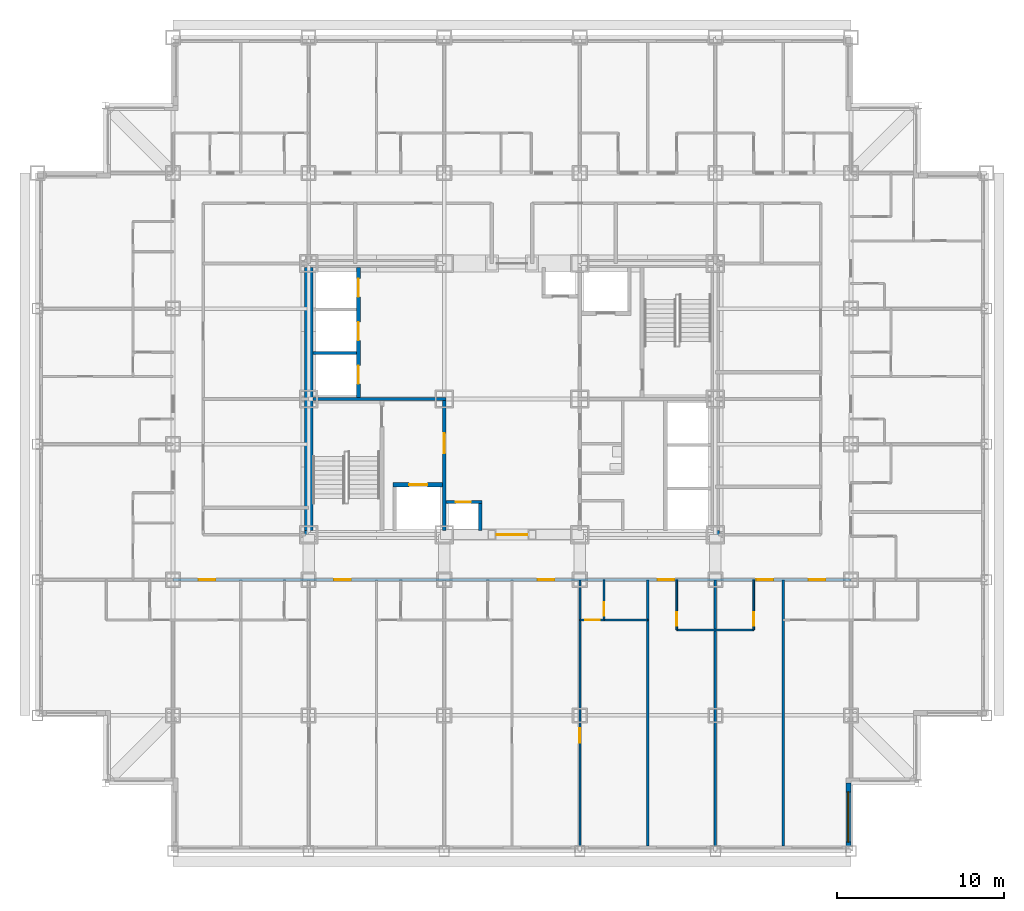
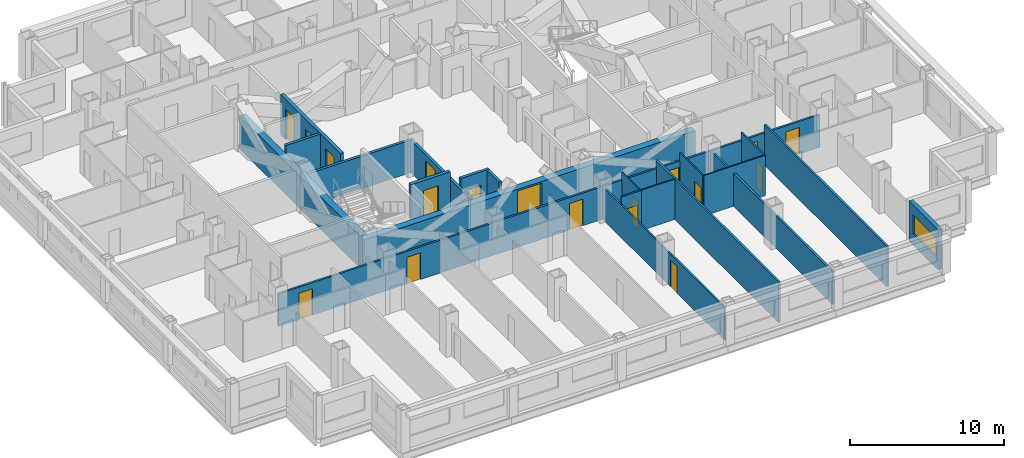
# One storey, part 6 of 14: 21 walls, 18 doors, 1 window, 19 openings.
"""IFC4 building model written with IfcOpenShell, lengths in metres."""

from ifc_helpers import new_model, si_unit, direction, frame, frame_2d, origin, place, context, subcontext, project, spatial, rectangle, extrude, material, layer, layer_set, type_object, element, fill, save


model = new_model("IFC4")

# Units and contexts
model_context = context("Model", 3, precision=1e-05, world=origin(), true_north=direction((0.0, 1.0)))
body_context = subcontext(model_context, "Body", "Model", "MODEL_VIEW")
ifc_project = project(units=[si_unit("LENGTHUNIT", "METRE"), si_unit("AREAUNIT", "SQUARE_METRE"), si_unit("VOLUMEUNIT", "CUBIC_METRE"), si_unit("PLANEANGLEUNIT", "RADIAN"), si_unit("MASSUNIT", "GRAM", prefix="KILO")], contexts=[model_context])

# Site, building, storey
site_placement = place(None, origin())
site = spatial("IfcSite", under=ifc_project, at=site_placement, CompositionType="ELEMENT")
building_placement = place(site_placement, origin())
building = spatial("IfcBuilding", under=site, at=building_placement, Name="Kopane Lantern Tower", CompositionType="ELEMENT")
storey_placement = place(building_placement, frame((0.0, 0.0, 127.199951171875)))
storey = spatial("IfcBuildingStorey", under=building, at=storey_placement, Name="L32", CompositionType="ELEMENT", Elevation=127.199951171875)

# Wall, opening, door
ifc_material_1 = material(Name="Gypsum board on steel studs", Category="steel")
ifc_layer_1 = layer(ifc_material_1, 0.1201171875)
ifc_layer_set_1 = layer_set([ifc_layer_1], Name="APARTMENT INTERNAL WALL 120")
wall_type_1 = type_object("IfcWallType", Name="APARTMENT INTERNAL WALL 120", PredefinedType="PARTITIONING", material=ifc_layer_set_1)
wall_1_placement = place(storey_placement, frame((32.39990234375, 21.60009765625, 0.0), z_axis=(0.0, 0.0, 1.0), x_axis=(0.0, -1.0, 0.0)))
wall_1 = element("IfcWall", 1, at=wall_1_placement, inside=storey, type_object=wall_type_1, Name="Apartment Internal Wall 120 L32", PredefinedType="PARTITIONING", context=body_context, shape_type="SweptSolid", body=[
    extrude(rectangle(XDim=15.900146484375, YDim=0.1201171875, at=frame_2d((7.9501953125, 0.0))), origin(), (0.0, 0.0, 1.0), 2.577880859375),
])
opening_1_placement = place(wall_1_placement, frame((8.875, 0.0, 0.0)))
opening_1 = element("IfcOpeningElement", 2, at=opening_1_placement, cuts=wall_1, Name="Opening L32-024", PredefinedType="OPENING", context=body_context, shape_type="SweptSolid", body=[
    extrude(rectangle(XDim=0.85009765625, YDim=2.10009765625, at=frame_2d((0.425048828125, 1.050048828125))), frame((0.0, 0.070068359375, 0.0), z_axis=(0.0, -1.0, 0.0), x_axis=(1.0, 0.0, 0.0)), (0.0, 0.0, 1.0), 0.14013671875),
])
ifc_material_2 = material(Name="Timber door set", Category="wood")
door_type_1 = type_object("IfcDoorType", Name="DOOR D4 850x2100", OperationType="SINGLE_SWING_LEFT", PredefinedType="DOOR", material=ifc_material_2)
door_1_placement = place(opening_1_placement, origin())
door_1 = element("IfcDoor", 3, at=door_1_placement, inside=storey, type_object=door_type_1, Name="Door L32-024", OperationType="SINGLE_SWING_LEFT", OverallHeight=2.10009765625, OverallWidth=0.85009765625, PredefinedType="DOOR", context=body_context, shape_type="SweptSolid", body=[
    extrude(rectangle(XDim=0.85009765625, YDim=2.10009765625, at=frame_2d((0.425048828125, 1.050048828125))), frame((0.0, 0.02490234375, 0.0), z_axis=(0.0, -1.0, 0.0), x_axis=(1.0, 0.0, 0.0)), (0.0, 0.0, 1.0), 0.050048828125),
])
fill(opening_1, door_1)

wall_2_placement = place(storey_placement, frame((33.860107421875, 19.199951171875, 0.0), z_axis=(0.0, 0.0, 1.0), x_axis=(-1.0, 0.0, 0.0)))
wall_2 = element("IfcWall", 4, at=wall_2_placement, inside=storey, type_object=wall_type_1, Name="Apartment Internal Wall 120 L32", PredefinedType="PARTITIONING", context=body_context, shape_type="SweptSolid", body=[
    extrude(rectangle(XDim=1.460205078125, YDim=0.1201171875, at=frame_2d((0.72998046875, 0.0))), origin(), (0.0, 0.0, 1.0), 3.18994140625),
])
opening_2_placement = place(wall_2_placement, frame((0.27490234375, 0.0, 0.0)))
opening_2 = element("IfcOpeningElement", 5, at=opening_2_placement, cuts=wall_2, Name="Opening L32-082", PredefinedType="OPENING", context=body_context, shape_type="SweptSolid", body=[
    extrude(rectangle(XDim=0.85009765625, YDim=2.10009765625, at=frame_2d((0.425048828125, 1.050048828125))), frame((0.0, 0.070068359375, 0.0), z_axis=(0.0, -1.0, 0.0), x_axis=(1.0, 0.0, 0.0)), (0.0, 0.0, 1.0), 0.14013671875),
])
door_2_placement = place(opening_2_placement, origin())
door_2 = element("IfcDoor", 6, at=door_2_placement, inside=storey, type_object=door_type_1, Name="Door L32-082", OperationType="SINGLE_SWING_RIGHT", OverallHeight=2.10009765625, OverallWidth=0.85009765625, PredefinedType="DOOR", context=body_context, shape_type="SweptSolid", body=[
    extrude(rectangle(XDim=0.85009765625, YDim=2.10009765625, at=frame_2d((0.425048828125, 1.050048828125))), frame((0.0, 0.02490234375, 0.0), z_axis=(0.0, -1.0, 0.0), x_axis=(1.0, 0.0, 0.0)), (0.0, 0.0, 1.0), 0.050048828125),
])
fill(opening_2, door_2)

# Wall
ifc_material_3 = material(Name="Moisture-resistant board on steel studs", Category="steel")
ifc_layer_2 = layer(ifc_material_3, 0.10009765625)
ifc_layer_set_2 = layer_set([ifc_layer_2], Name="BATHROOM WALL 100")
wall_type_2 = type_object("IfcWallType", Name="BATHROOM WALL 100", PredefinedType="PARTITIONING", material=ifc_layer_set_2)
wall_3_placement = place(storey_placement, frame((33.85009765625, 19.199951171875, 0.0), z_axis=(0.0, 0.0, 1.0), x_axis=(1.0, 0.0, 0.0)))
element("IfcWall", 7, at=wall_3_placement, inside=storey, type_object=wall_type_2, Name="Bathroom Wall 100 L32", PredefinedType="PARTITIONING", context=body_context, shape_type="SweptSolid", body=[
    extrude(rectangle(XDim=2.599853515625, YDim=0.10009765625, at=frame_2d((1.2998046875, 0.0))), origin(), (0.0, 0.0, 1.0), 3.18994140625),
])

# Wall, opening, door
wall_4_placement = place(storey_placement, frame((33.85009765625, 21.60009765625, 0.0), z_axis=(0.0, 0.0, 1.0), x_axis=(0.0, -1.0, 0.0)))
wall_4 = element("IfcWall", 8, at=wall_4_placement, inside=storey, type_object=wall_type_2, Name="Bathroom Wall 100 L32", PredefinedType="PARTITIONING", context=body_context, shape_type="SweptSolid", body=[
    extrude(rectangle(XDim=2.400146484375, YDim=0.10009765625, at=frame_2d((1.2001953125, 0.0))), origin(), (0.0, 0.0, 1.0), 3.18994140625),
])
opening_3_placement = place(wall_4_placement, frame((1.35009765625, 0.0, 0.0)))
opening_3 = element("IfcOpeningElement", 9, at=opening_3_placement, cuts=wall_4, Name="Opening L32-023", PredefinedType="OPENING", context=body_context, shape_type="SweptSolid", body=[
    extrude(rectangle(XDim=0.800048828125, YDim=2.10009765625, at=frame_2d((0.39990234375, 1.050048828125))), frame((0.0, 0.06005859375, 0.0), z_axis=(0.0, -1.0, 0.0), x_axis=(1.0, 0.0, 0.0)), (0.0, 0.0, 1.0), 0.1201171875),
])
ifc_material_4 = material(Name="Timber door set", Category="wood")
door_type_2 = type_object("IfcDoorType", Name="DOOR D2 800x2100", OperationType="SINGLE_SWING_LEFT", PredefinedType="DOOR", material=ifc_material_4)
door_3_placement = place(opening_3_placement, origin())
door_3 = element("IfcDoor", 10, at=door_3_placement, inside=storey, type_object=door_type_2, Name="Door L32-023", OperationType="SINGLE_SWING_LEFT", OverallHeight=2.10009765625, OverallWidth=0.800048828125, PredefinedType="DOOR", context=body_context, shape_type="SweptSolid", body=[
    extrude(rectangle(XDim=0.800048828125, YDim=2.10009765625, at=frame_2d((0.39990234375, 1.050048828125))), frame((0.0, 0.02490234375, 0.0), z_axis=(0.0, -1.0, 0.0), x_axis=(1.0, 0.0, 0.0)), (0.0, 0.0, 1.0), 0.050048828125),
])
fill(opening_3, door_3)

# Wall
wall_5_placement = place(storey_placement, frame((38.199951171875, 18.60009765625, 0.0), z_axis=(0.0, 0.0, 1.0), x_axis=(1.0, 0.0, 0.0)))
element("IfcWall", 11, at=wall_5_placement, inside=storey, type_object=wall_type_2, Name="Bathroom Wall 100 L32", PredefinedType="PARTITIONING", context=body_context, shape_type="SweptSolid", body=[
    extrude(rectangle(XDim=4.60009765625, YDim=0.10009765625, at=frame_2d((2.300048828125, 0.0))), origin(), (0.0, 0.0, 1.0), 3.18994140625),
])

# Wall, opening, door
wall_6_placement = place(storey_placement, frame((38.199951171875, 21.60009765625, 0.0), z_axis=(0.0, 0.0, 1.0), x_axis=(0.0, -1.0, 0.0)))
wall_6 = element("IfcWall", 12, at=wall_6_placement, inside=storey, type_object=wall_type_2, Name="Bathroom Wall 100 L32", PredefinedType="PARTITIONING", context=body_context, shape_type="SweptSolid", body=[
    extrude(rectangle(XDim=3.0, YDim=0.10009765625, at=frame_2d((1.5, 0.0))), origin(), (0.0, 0.0, 1.0), 3.18994140625),
])
opening_4_placement = place(wall_6_placement, frame((1.949951171875, 0.0, 0.0)))
opening_4 = element("IfcOpeningElement", 13, at=opening_4_placement, cuts=wall_6, Name="Opening L32-025", PredefinedType="OPENING", context=body_context, shape_type="SweptSolid", body=[
    extrude(rectangle(XDim=0.800048828125, YDim=2.10009765625, at=frame_2d((0.39990234375, 1.050048828125))), frame((0.0, 0.06005859375, 0.0), z_axis=(0.0, -1.0, 0.0), x_axis=(1.0, 0.0, 0.0)), (0.0, 0.0, 1.0), 0.1201171875),
])
door_4_placement = place(opening_4_placement, origin())
door_4 = element("IfcDoor", 14, at=door_4_placement, inside=storey, type_object=door_type_2, Name="Door L32-025", OperationType="SINGLE_SWING_RIGHT", OverallHeight=2.10009765625, OverallWidth=0.800048828125, PredefinedType="DOOR", context=body_context, shape_type="SweptSolid", body=[
    extrude(rectangle(XDim=0.800048828125, YDim=2.10009765625, at=frame_2d((0.39990234375, 1.050048828125))), frame((0.0, 0.02490234375, 0.0), z_axis=(0.0, -1.0, 0.0), x_axis=(1.0, 0.0, 0.0)), (0.0, 0.0, 1.0), 0.050048828125),
])
fill(opening_4, door_4)

wall_7_placement = place(storey_placement, frame((42.800048828125, 21.60009765625, 0.0), z_axis=(0.0, 0.0, 1.0), x_axis=(0.0, -1.0, 0.0)))
wall_7 = element("IfcWall", 15, at=wall_7_placement, inside=storey, type_object=wall_type_2, Name="Bathroom Wall 100 L32", PredefinedType="PARTITIONING", context=body_context, shape_type="SweptSolid", body=[
    extrude(rectangle(XDim=3.0, YDim=0.10009765625, at=frame_2d((1.5, 0.0))), origin(), (0.0, 0.0, 1.0), 3.18994140625),
])
opening_5_placement = place(wall_7_placement, frame((1.949951171875, 0.0, 0.0)))
opening_5 = element("IfcOpeningElement", 16, at=opening_5_placement, cuts=wall_7, Name="Opening L32-027", PredefinedType="OPENING", context=body_context, shape_type="SweptSolid", body=[
    extrude(rectangle(XDim=0.800048828125, YDim=2.10009765625, at=frame_2d((0.39990234375, 1.050048828125))), frame((0.0, 0.06005859375, 0.0), z_axis=(0.0, -1.0, 0.0), x_axis=(1.0, 0.0, 0.0)), (0.0, 0.0, 1.0), 0.1201171875),
])
door_5_placement = place(opening_5_placement, origin())
door_5 = element("IfcDoor", 17, at=door_5_placement, inside=storey, type_object=door_type_2, Name="Door L32-027", OperationType="SINGLE_SWING_LEFT", OverallHeight=2.10009765625, OverallWidth=0.800048828125, PredefinedType="DOOR", context=body_context, shape_type="SweptSolid", body=[
    extrude(rectangle(XDim=0.800048828125, YDim=2.10009765625, at=frame_2d((0.39990234375, 1.050048828125))), frame((0.0, 0.02490234375, 0.0), z_axis=(0.0, -1.0, 0.0), x_axis=(1.0, 0.0, 0.0)), (0.0, 0.0, 1.0), 0.050048828125),
])
fill(opening_5, door_5)

ifc_material_5 = material(Name="Gypsum shaft wall EI 120", Category="gypsum")
ifc_layer_3 = layer(ifc_material_5, 0.5)
ifc_layer_set_3 = layer_set([ifc_layer_3], Name="CORE PERIMETER WALL 500 EI 120")
wall_type_3 = type_object("IfcWallType", Name="CORE PERIMETER WALL 500 EI 120", PredefinedType="SOLIDWALL", material=ifc_layer_set_3)
wall_8_placement = place(storey_placement, frame((15.949951171875, 24.300048828125, 0.0), z_axis=(0.0, 0.0, 1.0), x_axis=(1.0, 0.0, 0.0)))
wall_8 = element("IfcWall", 18, at=wall_8_placement, inside=storey, type_object=wall_type_3, Name="Core shaft wall L32 PS", PredefinedType="SOLIDWALL", context=body_context, shape_type="SweptSolid", body=[
    extrude(rectangle(XDim=24.800048828125, YDim=0.5, at=frame_2d((12.39990234375, 0.0))), origin(), (0.0, 0.0, 1.0), 2.5400390625),
])
opening_6_placement = place(wall_8_placement, frame((11.5, 0.0, 0.0)))
opening_6 = element("IfcOpeningElement", 19, at=opening_6_placement, cuts=wall_8, Name="Opening 32.CE-S", PredefinedType="OPENING", context=body_context, shape_type="SweptSolid", body=[
    extrude(rectangle(XDim=1.800048828125, YDim=2.39990234375, at=frame_2d((0.89990234375, 1.199951171875))), frame((0.0, 0.260009765625, 0.0), z_axis=(0.0, -1.0, 0.0), x_axis=(1.0, 0.0, 0.0)), (0.0, 0.0, 1.0), 0.52001953125),
])
ifc_material_6 = material(Name="Steel door set", Category="steel")
door_type_3 = type_object("IfcDoorType", Name="CORE ENTRY DOOR 1800x2400 FD60S", OperationType="DOUBLE_DOOR_SINGLE_SWING", PredefinedType="DOOR", material=ifc_material_6)
door_6_placement = place(opening_6_placement, origin())
door_6 = element("IfcDoor", 20, at=door_6_placement, inside=storey, type_object=door_type_3, Name="Core entry door L32 south", OperationType="DOUBLE_DOOR_SINGLE_SWING", OverallHeight=2.39990234375, OverallWidth=1.800048828125, PredefinedType="DOOR", context=body_context, shape_type="SweptSolid", body=[
    extrude(rectangle(XDim=1.800048828125, YDim=2.39990234375, at=frame_2d((0.89990234375, 1.199951171875))), frame((0.0, 0.02490234375, 0.0), z_axis=(0.0, -1.0, 0.0), x_axis=(1.0, 0.0, 0.0)), (0.0, 0.0, 1.0), 0.050048828125),
])
fill(opening_6, door_6)

# Wall
wall_9_placement = place(storey_placement, frame((16.199951171875, 24.550048828125, 0.0), z_axis=(0.0, 0.0, 1.0), x_axis=(0.0, 1.0, 0.0)))
element("IfcWall", 21, at=wall_9_placement, inside=storey, type_object=wall_type_3, Name="Core shaft wall L32 PW", PredefinedType="SOLIDWALL", context=body_context, shape_type="SweptSolid", body=[
    extrude(rectangle(XDim=15.699951171875, YDim=0.5, at=frame_2d((7.85009765625, 0.0))), origin(), (0.0, 0.0, 1.0), 2.577880859375),
])

# Wall, opening, door
ifc_material_7 = material(Name="Gypsum shaft wall EI 120", Category="gypsum")
ifc_layer_4 = layer(ifc_material_7, 0.25)
ifc_layer_set_4 = layer_set([ifc_layer_4], Name="CORE SHAFT WALL 250 EI 120")
wall_type_4 = type_object("IfcWallType", Name="CORE SHAFT WALL 250 EI 120", PredefinedType="SOLIDWALL", material=ifc_layer_set_4)
wall_10_placement = place(storey_placement, frame((21.25, 27.27490234375, 0.0), z_axis=(0.0, 0.0, 1.0), x_axis=(1.0, 0.0, 0.0)))
wall_10 = element("IfcWall", 22, at=wall_10_placement, inside=storey, type_object=wall_type_4, Name="Core shaft wall L32 YLF1", PredefinedType="SOLIDWALL", context=body_context, shape_type="SweptSolid", body=[
    extrude(rectangle(XDim=2.949951171875, YDim=0.25, at=frame_2d((1.47509765625, 0.0))), origin(), (0.0, 0.0, 1.0), 3.18994140625),
])
opening_7_placement = place(wall_10_placement, frame((0.949951171875, 0.0, 0.0)))
opening_7 = element("IfcOpeningElement", 23, at=opening_7_placement, cuts=wall_10, Name="Opening 32.LD-LF1", PredefinedType="OPENING", context=body_context, shape_type="SweptSolid", body=[
    extrude(rectangle(XDim=1.10009765625, YDim=2.39990234375, at=frame_2d((0.550048828125, 1.199951171875))), frame((0.0, 0.135009765625, 0.0), z_axis=(0.0, -1.0, 0.0), x_axis=(1.0, 0.0, 0.0)), (0.0, 0.0, 1.0), 0.27001953125),
])
ifc_material_8 = material(Name="Steel door set", Category="steel")
door_type_4 = type_object("IfcDoorType", Name="LIFT LANDING DOOR 1100x2400 FD60", OperationType="DOUBLE_DOOR_SLIDING", PredefinedType="DOOR", material=ifc_material_8)
door_7_placement = place(opening_7_placement, origin())
door_7 = element("IfcDoor", 24, at=door_7_placement, inside=storey, type_object=door_type_4, Name="Landing door LF1 L32", OperationType="DOUBLE_DOOR_SLIDING", OverallHeight=2.39990234375, OverallWidth=1.10009765625, PredefinedType="DOOR", context=body_context, shape_type="SweptSolid", body=[
    extrude(rectangle(XDim=1.10009765625, YDim=2.39990234375, at=frame_2d((0.550048828125, 1.199951171875))), frame((0.0, 0.02490234375, 0.0), z_axis=(0.0, -1.0, 0.0), x_axis=(1.0, 0.0, 0.0)), (0.0, 0.0, 1.0), 0.050048828125),
])
fill(opening_7, door_7)

# Wall, openings, doors
wall_11_placement = place(storey_placement, frame((19.175048828125, 32.5, 0.0), z_axis=(0.0, 0.0, 1.0), x_axis=(0.0, 1.0, 0.0)))
wall_11 = element("IfcWall", 25, at=wall_11_placement, inside=storey, type_object=wall_type_4, Name="Core shaft wall L32 XLH", PredefinedType="SOLIDWALL", context=body_context, shape_type="SweptSolid", body=[
    extrude(rectangle(XDim=7.75, YDim=0.25, at=frame_2d((3.875, 0.0))), origin(), (0.0, 0.0, 1.0), 3.18994140625),
])
opening_8_placement = place(wall_11_placement, frame((0.800048828125, 0.0, 0.0)))
opening_8 = element("IfcOpeningElement", 26, at=opening_8_placement, cuts=wall_11, Name="Opening 32.LD-LH1", PredefinedType="OPENING", context=body_context, shape_type="SweptSolid", body=[
    extrude(rectangle(XDim=1.10009765625, YDim=2.39990234375, at=frame_2d((0.550048828125, 1.199951171875))), frame((0.0, 0.135009765625, 0.0), z_axis=(0.0, -1.0, 0.0), x_axis=(1.0, 0.0, 0.0)), (0.0, 0.0, 1.0), 0.27001953125),
])
opening_9_placement = place(wall_11_placement, frame((3.39990234375, 0.0, 0.0)))
opening_9 = element("IfcOpeningElement", 27, at=opening_9_placement, cuts=wall_11, Name="Opening 32.LD-LH2", PredefinedType="OPENING", context=body_context, shape_type="SweptSolid", body=[
    extrude(rectangle(XDim=1.10009765625, YDim=2.39990234375, at=frame_2d((0.550048828125, 1.199951171875))), frame((0.0, 0.135009765625, 0.0), z_axis=(0.0, -1.0, 0.0), x_axis=(1.0, 0.0, 0.0)), (0.0, 0.0, 1.0), 0.27001953125),
])
opening_10_placement = place(wall_11_placement, frame((6.0, 0.0, 0.0)))
opening_10 = element("IfcOpeningElement", 28, at=opening_10_placement, cuts=wall_11, Name="Opening 32.LD-LH3", PredefinedType="OPENING", context=body_context, shape_type="SweptSolid", body=[
    extrude(rectangle(XDim=1.10009765625, YDim=2.39990234375, at=frame_2d((0.550048828125, 1.199951171875))), frame((0.0, 0.135009765625, 0.0), z_axis=(0.0, -1.0, 0.0), x_axis=(1.0, 0.0, 0.0)), (0.0, 0.0, 1.0), 0.27001953125),
])
door_8_placement = place(opening_8_placement, origin())
door_8 = element("IfcDoor", 29, at=door_8_placement, inside=storey, type_object=door_type_4, Name="Landing door LH1 L32", OperationType="DOUBLE_DOOR_SLIDING", OverallHeight=2.39990234375, OverallWidth=1.10009765625, PredefinedType="DOOR", context=body_context, shape_type="SweptSolid", body=[
    extrude(rectangle(XDim=1.10009765625, YDim=2.39990234375, at=frame_2d((0.550048828125, 1.199951171875))), frame((0.0, 0.02490234375, 0.0), z_axis=(0.0, -1.0, 0.0), x_axis=(1.0, 0.0, 0.0)), (0.0, 0.0, 1.0), 0.050048828125),
])
fill(opening_8, door_8)
door_9_placement = place(opening_9_placement, origin())
door_9 = element("IfcDoor", 30, at=door_9_placement, inside=storey, type_object=door_type_4, Name="Landing door LH2 L32", OperationType="DOUBLE_DOOR_SLIDING", OverallHeight=2.39990234375, OverallWidth=1.10009765625, PredefinedType="DOOR", context=body_context, shape_type="SweptSolid", body=[
    extrude(rectangle(XDim=1.10009765625, YDim=2.39990234375, at=frame_2d((0.550048828125, 1.199951171875))), frame((0.0, 0.02490234375, 0.0), z_axis=(0.0, -1.0, 0.0), x_axis=(1.0, 0.0, 0.0)), (0.0, 0.0, 1.0), 0.050048828125),
])
fill(opening_9, door_9)
door_10_placement = place(opening_10_placement, origin())
door_10 = element("IfcDoor", 31, at=door_10_placement, inside=storey, type_object=door_type_4, Name="Landing door LH3 L32", OperationType="DOUBLE_DOOR_SLIDING", OverallHeight=2.39990234375, OverallWidth=1.10009765625, PredefinedType="DOOR", context=body_context, shape_type="SweptSolid", body=[
    extrude(rectangle(XDim=1.10009765625, YDim=2.39990234375, at=frame_2d((0.550048828125, 1.199951171875))), frame((0.0, 0.02490234375, 0.0), z_axis=(0.0, -1.0, 0.0), x_axis=(1.0, 0.0, 0.0)), (0.0, 0.0, 1.0), 0.050048828125),
])
fill(opening_10, door_10)

ifc_material_9 = material(Name="Gypsum board on steel studs", Category="steel")
ifc_layer_5 = layer(ifc_material_9, 0.14990234375)
ifc_layer_set_5 = layer_set([ifc_layer_5], Name="CORRIDOR WALL 150 EI 60")
wall_type_5 = type_object("IfcWallType", Name="CORRIDOR WALL 150 EI 60", PredefinedType="PARTITIONING", material=ifc_layer_set_5)
wall_12_placement = place(storey_placement, frame((8.10009765625, 21.60009765625, 0.0), z_axis=(0.0, 0.0, 1.0), x_axis=(1.0, 0.0, 0.0)))
wall_12 = element("IfcWall", 32, at=wall_12_placement, inside=storey, type_object=wall_type_5, Name="Corridor Wall 150 Ei 60 L32", PredefinedType="PARTITIONING", context=body_context, shape_type="SweptSolid", body=[
    extrude(rectangle(XDim=40.5, YDim=0.14990234375, at=frame_2d((20.25, 0.0))), origin(), (0.0, 0.0, 1.0), 2.577880859375),
])
opening_11_placement = place(wall_12_placement, frame((9.625, 0.0, 0.0)))
opening_11 = element("IfcOpeningElement", 33, at=opening_11_placement, cuts=wall_12, Name="Opening L32-015", PredefinedType="OPENING", context=body_context, shape_type="SweptSolid", body=[
    extrude(rectangle(XDim=1.0, YDim=2.10009765625, at=frame_2d((0.5, 1.050048828125))), frame((0.0, 0.0849609375, 0.0), z_axis=(0.0, -1.0, 0.0), x_axis=(1.0, 0.0, 0.0)), (0.0, 0.0, 1.0), 0.169921875),
])
opening_12_placement = place(wall_12_placement, frame((21.77490234375, 0.0, 0.0)))
opening_12 = element("IfcOpeningElement", 34, at=opening_12_placement, cuts=wall_12, Name="Opening L32-020", PredefinedType="OPENING", context=body_context, shape_type="SweptSolid", body=[
    extrude(rectangle(XDim=1.0, YDim=2.10009765625, at=frame_2d((0.5, 1.050048828125))), frame((0.0, 0.0849609375, 0.0), z_axis=(0.0, -1.0, 0.0), x_axis=(1.0, 0.0, 0.0)), (0.0, 0.0, 1.0), 0.169921875),
])
opening_13_placement = place(wall_12_placement, frame((28.949951171875, 0.0, 0.0)))
opening_13 = element("IfcOpeningElement", 35, at=opening_13_placement, cuts=wall_12, Name="Opening L32-026", PredefinedType="OPENING", context=body_context, shape_type="SweptSolid", body=[
    extrude(rectangle(XDim=1.0, YDim=2.10009765625, at=frame_2d((0.5, 1.050048828125))), frame((0.0, 0.0849609375, 0.0), z_axis=(0.0, -1.0, 0.0), x_axis=(1.0, 0.0, 0.0)), (0.0, 0.0, 1.0), 0.169921875),
])
opening_14_placement = place(wall_12_placement, frame((34.85009765625, 0.0, 0.0)))
opening_14 = element("IfcOpeningElement", 36, at=opening_14_placement, cuts=wall_12, Name="Opening L32-028", PredefinedType="OPENING", context=body_context, shape_type="SweptSolid", body=[
    extrude(rectangle(XDim=1.0, YDim=2.10009765625, at=frame_2d((0.5, 1.050048828125))), frame((0.0, 0.0849609375, 0.0), z_axis=(0.0, -1.0, 0.0), x_axis=(1.0, 0.0, 0.0)), (0.0, 0.0, 1.0), 0.169921875),
])
opening_15_placement = place(wall_12_placement, frame((1.52490234375, 0.0, 0.0)))
opening_15 = element("IfcOpeningElement", 37, at=opening_15_placement, cuts=wall_12, Name="Opening L32-065", PredefinedType="OPENING", context=body_context, shape_type="SweptSolid", body=[
    extrude(rectangle(XDim=1.0, YDim=2.10009765625, at=frame_2d((0.5, 1.050048828125))), frame((0.0, 0.0849609375, 0.0), z_axis=(0.0, -1.0, 0.0), x_axis=(1.0, 0.0, 0.0)), (0.0, 0.0, 1.0), 0.169921875),
])
opening_16_placement = place(wall_12_placement, frame((37.97509765625, 0.0, 0.0)))
opening_16 = element("IfcOpeningElement", 38, at=opening_16_placement, cuts=wall_12, Name="Opening L32-069", PredefinedType="OPENING", context=body_context, shape_type="SweptSolid", body=[
    extrude(rectangle(XDim=1.0, YDim=2.10009765625, at=frame_2d((0.5, 1.050048828125))), frame((0.0, 0.0849609375, 0.0), z_axis=(0.0, -1.0, 0.0), x_axis=(1.0, 0.0, 0.0)), (0.0, 0.0, 1.0), 0.169921875),
])
ifc_material_10 = material(Name="Steel door set", Category="steel")
door_type_5 = type_object("IfcDoorType", Name="DOOR D1 1000x2100 FD30S", OperationType="SINGLE_SWING_LEFT", PredefinedType="DOOR", material=ifc_material_10)
door_11_placement = place(opening_11_placement, origin())
door_11 = element("IfcDoor", 39, at=door_11_placement, inside=storey, type_object=door_type_5, Name="Door L32-015", OperationType="SINGLE_SWING_LEFT", OverallHeight=2.10009765625, OverallWidth=1.0, PredefinedType="DOOR", context=body_context, shape_type="SweptSolid", body=[
    extrude(rectangle(XDim=1.0, YDim=2.10009765625, at=frame_2d((0.5, 1.050048828125))), frame((0.0, 0.02490234375, 0.0), z_axis=(0.0, -1.0, 0.0), x_axis=(1.0, 0.0, 0.0)), (0.0, 0.0, 1.0), 0.050048828125),
])
fill(opening_11, door_11)
door_12_placement = place(opening_12_placement, origin())
door_12 = element("IfcDoor", 40, at=door_12_placement, inside=storey, type_object=door_type_5, Name="Door L32-020", OperationType="SINGLE_SWING_RIGHT", OverallHeight=2.10009765625, OverallWidth=1.0, PredefinedType="DOOR", context=body_context, shape_type="SweptSolid", body=[
    extrude(rectangle(XDim=1.0, YDim=2.10009765625, at=frame_2d((0.5, 1.050048828125))), frame((0.0, 0.02490234375, 0.0), z_axis=(0.0, -1.0, 0.0), x_axis=(1.0, 0.0, 0.0)), (0.0, 0.0, 1.0), 0.050048828125),
])
fill(opening_12, door_12)
door_13_placement = place(opening_13_placement, origin())
door_13 = element("IfcDoor", 41, at=door_13_placement, inside=storey, type_object=door_type_5, Name="Door L32-026", OperationType="SINGLE_SWING_LEFT", OverallHeight=2.10009765625, OverallWidth=1.0, PredefinedType="DOOR", context=body_context, shape_type="SweptSolid", body=[
    extrude(rectangle(XDim=1.0, YDim=2.10009765625, at=frame_2d((0.5, 1.050048828125))), frame((0.0, 0.02490234375, 0.0), z_axis=(0.0, -1.0, 0.0), x_axis=(1.0, 0.0, 0.0)), (0.0, 0.0, 1.0), 0.050048828125),
])
fill(opening_13, door_13)
door_14_placement = place(opening_14_placement, origin())
door_14 = element("IfcDoor", 42, at=door_14_placement, inside=storey, type_object=door_type_5, Name="Door L32-028", OperationType="SINGLE_SWING_RIGHT", OverallHeight=2.10009765625, OverallWidth=1.0, PredefinedType="DOOR", context=body_context, shape_type="SweptSolid", body=[
    extrude(rectangle(XDim=1.0, YDim=2.10009765625, at=frame_2d((0.5, 1.050048828125))), frame((0.0, 0.02490234375, 0.0), z_axis=(0.0, -1.0, 0.0), x_axis=(1.0, 0.0, 0.0)), (0.0, 0.0, 1.0), 0.050048828125),
])
fill(opening_14, door_14)
door_15_placement = place(opening_15_placement, origin())
door_15 = element("IfcDoor", 43, at=door_15_placement, inside=storey, type_object=door_type_5, Name="Door L32-065", OperationType="SINGLE_SWING_LEFT", OverallHeight=2.10009765625, OverallWidth=1.0, PredefinedType="DOOR", context=body_context, shape_type="SweptSolid", body=[
    extrude(rectangle(XDim=1.0, YDim=2.10009765625, at=frame_2d((0.5, 1.050048828125))), frame((0.0, 0.02490234375, 0.0), z_axis=(0.0, -1.0, 0.0), x_axis=(1.0, 0.0, 0.0)), (0.0, 0.0, 1.0), 0.050048828125),
])
fill(opening_15, door_15)
door_16_placement = place(opening_16_placement, origin())
door_16 = element("IfcDoor", 44, at=door_16_placement, inside=storey, type_object=door_type_5, Name="Door L32-069", OperationType="SINGLE_SWING_RIGHT", OverallHeight=2.10009765625, OverallWidth=1.0, PredefinedType="DOOR", context=body_context, shape_type="SweptSolid", body=[
    extrude(rectangle(XDim=1.0, YDim=2.10009765625, at=frame_2d((0.5, 1.050048828125))), frame((0.0, 0.02490234375, 0.0), z_axis=(0.0, -1.0, 0.0), x_axis=(1.0, 0.0, 0.0)), (0.0, 0.0, 1.0), 0.050048828125),
])
fill(opening_16, door_16)

# Walls
ifc_material_11 = material(Name="Gypsum board on steel studs", Category="steel")
ifc_layer_6 = layer(ifc_material_11, 0.14990234375)
ifc_layer_set_6 = layer_set([ifc_layer_6], Name="DEMISING WALL 150 EI 60")
wall_type_6 = type_object("IfcWallType", Name="DEMISING WALL 150 EI 60", PredefinedType="PARTITIONING", material=ifc_layer_set_6)
wall_13_placement = place(storey_placement, frame((36.449951171875, 21.60009765625, 0.0), z_axis=(0.0, 0.0, 1.0), x_axis=(0.0, -1.0, 0.0)))
element("IfcWall", 45, at=wall_13_placement, inside=storey, type_object=wall_type_6, Name="Demising Wall 150 Ei 60 L32", PredefinedType="PARTITIONING", context=body_context, shape_type="SweptSolid", body=[
    extrude(rectangle(XDim=15.900146484375, YDim=0.14990234375, at=frame_2d((7.9501953125, 0.0))), origin(), (0.0, 0.0, 1.0), 3.18994140625),
])
wall_14_placement = place(storey_placement, frame((40.5, 21.60009765625, 0.0), z_axis=(0.0, 0.0, 1.0), x_axis=(0.0, -1.0, 0.0)))
element("IfcWall", 46, at=wall_14_placement, inside=storey, type_object=wall_type_6, Name="Demising Wall 150 Ei 60 L32", PredefinedType="PARTITIONING", context=body_context, shape_type="SweptSolid", body=[
    extrude(rectangle(XDim=15.900146484375, YDim=0.14990234375, at=frame_2d((7.9501953125, 0.0))), origin(), (0.0, 0.0, 1.0), 2.577880859375),
])
wall_15_placement = place(storey_placement, frame((44.550048828125, 21.60009765625, 0.0), z_axis=(0.0, 0.0, 1.0), x_axis=(0.0, -1.0, 0.0)))
element("IfcWall", 47, at=wall_15_placement, inside=storey, type_object=wall_type_6, Name="Demising Wall 150 Ei 60 L32", PredefinedType="PARTITIONING", context=body_context, shape_type="SweptSolid", body=[
    extrude(rectangle(XDim=15.900146484375, YDim=0.14990234375, at=frame_2d((7.9501953125, 0.0))), origin(), (0.0, 0.0, 1.0), 3.18994140625),
])

# Wall, opening, window
ifc_material_12 = material(Name="Terracotta rainscreen on light steel framing", Category="masonry")
ifc_layer_7 = layer(ifc_material_12, 0.300048828125)
ifc_layer_set_7 = layer_set([ifc_layer_7], Name="EXTERNAL WALL EW1 300 TERRACOTTA")
wall_type_7 = type_object("IfcWallType", Name="EXTERNAL WALL EW1 300 TERRACOTTA", PredefinedType="SOLIDWALL", material=ifc_layer_set_7)
wall_16_placement = place(storey_placement, frame((48.449951171875, 5.699951171875, 0.0), z_axis=(0.0, 0.0, 1.0), x_axis=(0.0, 1.0, 0.0)))
wall_16 = element("IfcWall", 48, at=wall_16_placement, inside=storey, type_object=wall_type_7, Name="External wall E L32", PredefinedType="SOLIDWALL", context=body_context, shape_type="SweptSolid", body=[
    extrude(rectangle(XDim=3.75, YDim=0.300048828125, at=frame_2d((1.875, 0.0))), origin(), (0.0, 0.0, 1.0), 3.18994140625),
])
opening_17_placement = place(wall_16_placement, frame((0.22509765625, 0.0, 0.89990234375)))
opening_17 = element("IfcOpeningElement", 49, at=opening_17_placement, cuts=wall_16, Name="Opening WR300150", PredefinedType="OPENING", context=body_context, shape_type="SweptSolid", body=[
    extrude(rectangle(XDim=3.0, YDim=1.5, at=frame_2d((1.5, 0.75))), frame((0.0, 0.159912109375, 0.0), z_axis=(0.0, -1.0, 0.0), x_axis=(1.0, 0.0, 0.0)), (0.0, 0.0, 1.0), 0.320068359375),
])
ifc_material_13 = material(Name="Aluminium and clear glass", Category="aluminium")
window_type = type_object("IfcWindowType", Name="RIBBON WINDOW WR300150 3000x1500", PartitioningType="SINGLE_PANEL", PredefinedType="WINDOW", material=ifc_material_13)
window_placement = place(opening_17_placement, origin())
window = element("IfcWindow", 50, at=window_placement, inside=storey, type_object=window_type, Name="Window E L32", OverallHeight=1.5, OverallWidth=3.0, PartitioningType="SINGLE_PANEL", PredefinedType="WINDOW", context=body_context, shape_type="SweptSolid", body=[
    extrude(rectangle(XDim=3.0, YDim=1.5, at=frame_2d((1.5, 0.75))), frame((0.0, 0.030029296875, 0.0), z_axis=(0.0, -1.0, 0.0), x_axis=(1.0, 0.0, 0.0)), (0.0, 0.0, 1.0), 0.06005859375),
])
fill(opening_17, window)

# Wall
ifc_material_14 = material(Name="Gypsum shaft wall EI 120", Category="gypsum")
ifc_layer_8 = layer(ifc_material_14, 0.199951171875)
ifc_layer_set_8 = layer_set([ifc_layer_8], Name="SHAFT WALL 200 EI 120")
wall_type_8 = type_object("IfcWallType", Name="SHAFT WALL 200 EI 120", PredefinedType="SOLIDWALL", material=ifc_layer_set_8)
wall_17_placement = place(storey_placement, frame((16.449951171875, 32.39990234375, 0.0), z_axis=(0.0, 0.0, 1.0), x_axis=(1.0, 0.0, 0.0)))
element("IfcWall", 51, at=wall_17_placement, inside=storey, type_object=wall_type_8, Name="Core shaft wall L32 Y324W", PredefinedType="SOLIDWALL", context=body_context, shape_type="SweptSolid", body=[
    extrude(rectangle(XDim=7.949951171875, YDim=0.199951171875, at=frame_2d((3.97509765625, 0.0))), origin(), (0.0, 0.0, 1.0), 2.577880859375),
])

# Wall, opening, door
wall_18_placement = place(storey_placement, frame((24.300048828125, 24.550048828125, 0.0), z_axis=(0.0, 0.0, 1.0), x_axis=(0.0, 1.0, 0.0)))
wall_18 = element("IfcWall", 52, at=wall_18_placement, inside=storey, type_object=wall_type_8, Name="Core shaft wall L32 X243", PredefinedType="SOLIDWALL", context=body_context, shape_type="SweptSolid", body=[
    extrude(rectangle(XDim=7.75, YDim=0.199951171875, at=frame_2d((3.875, 0.0))), origin(), (0.0, 0.0, 1.0), 2.577880859375),
])
opening_18_placement = place(wall_18_placement, frame((4.60009765625, 0.0, 0.0)))
opening_18 = element("IfcOpeningElement", 53, at=opening_18_placement, cuts=wall_18, Name="Opening 32.FL1", PredefinedType="OPENING", context=body_context, shape_type="SweptSolid", body=[
    extrude(rectangle(XDim=1.199951171875, YDim=2.10009765625, at=frame_2d((0.60009765625, 1.050048828125))), frame((0.0, 0.10986328125, 0.0), z_axis=(0.0, -1.0, 0.0), x_axis=(1.0, 0.0, 0.0)), (0.0, 0.0, 1.0), 0.219970703125),
])
ifc_material_15 = material(Name="Steel door set", Category="steel")
door_type_6 = type_object("IfcDoorType", Name="FIREFIGHTING LOBBY DOOR 1200x2100 FD60S", OperationType="SINGLE_SWING_RIGHT", PredefinedType="DOOR", material=ifc_material_15)
door_17_placement = place(opening_18_placement, origin())
door_17 = element("IfcDoor", 54, at=door_17_placement, inside=storey, type_object=door_type_6, Name="Firefighting lobby door FL1 L32", OperationType="SINGLE_SWING_LEFT", OverallHeight=2.10009765625, OverallWidth=1.199951171875, PredefinedType="DOOR", context=body_context, shape_type="SweptSolid", body=[
    extrude(rectangle(XDim=1.199951171875, YDim=2.10009765625, at=frame_2d((0.60009765625, 1.050048828125))), frame((0.0, 0.02490234375, 0.0), z_axis=(0.0, -1.0, 0.0), x_axis=(1.0, 0.0, 0.0)), (0.0, 0.0, 1.0), 0.050048828125),
])
fill(opening_18, door_17)

# Walls
wall_19_placement = place(storey_placement, frame((16.449951171875, 35.14990234375, 0.0), z_axis=(0.0, 0.0, 1.0), x_axis=(1.0, 0.0, 0.0)))
element("IfcWall", 55, at=wall_19_placement, inside=storey, type_object=wall_type_8, Name="Core shaft wall L32 YLH12", PredefinedType="SOLIDWALL", context=body_context, shape_type="SweptSolid", body=[
    extrude(rectangle(XDim=2.60009765625, YDim=0.199951171875, at=frame_2d((1.300048828125, 0.0))), origin(), (0.0, 0.0, 1.0), 3.18994140625),
])
wall_20_placement = place(storey_placement, frame((26.449951171875, 24.550048828125, 0.0), z_axis=(0.0, 0.0, 1.0), x_axis=(0.0, 1.0, 0.0)))
element("IfcWall", 56, at=wall_20_placement, inside=storey, type_object=wall_type_8, Name="Core shaft wall L32 XRS1", PredefinedType="SOLIDWALL", context=body_context, shape_type="SweptSolid", body=[
    extrude(rectangle(XDim=1.599853515625, YDim=0.199951171875, at=frame_2d((0.7998046875, 0.0))), origin(), (0.0, 0.0, 1.0), 3.18994140625),
])

# Wall, opening, door
wall_21_placement = place(storey_placement, frame((24.39990234375, 26.25, 0.0), z_axis=(0.0, 0.0, 1.0), x_axis=(1.0, 0.0, 0.0)))
wall_21 = element("IfcWall", 57, at=wall_21_placement, inside=storey, type_object=wall_type_8, Name="Core shaft wall L32 YRS1", PredefinedType="SOLIDWALL", context=body_context, shape_type="SweptSolid", body=[
    extrude(rectangle(XDim=2.150146484375, YDim=0.199951171875, at=frame_2d((1.0751953125, 0.0))), origin(), (0.0, 0.0, 1.0), 3.18994140625),
])
opening_19_placement = place(wall_21_placement, frame((0.60009765625, 0.0, 0.0)))
opening_19 = element("IfcOpeningElement", 58, at=opening_19_placement, cuts=wall_21, Name="Opening 32.RS1", PredefinedType="OPENING", context=body_context, shape_type="SweptSolid", body=[
    extrude(rectangle(XDim=0.89990234375, YDim=2.10009765625, at=frame_2d((0.449951171875, 1.050048828125))), frame((0.0, 0.10986328125, 0.0), z_axis=(0.0, -1.0, 0.0), x_axis=(1.0, 0.0, 0.0)), (0.0, 0.0, 1.0), 0.219970703125),
])
ifc_material_16 = material(Name="Steel door set", Category="steel")
door_type_7 = type_object("IfcDoorType", Name="RISER ACCESS DOOR 900x2100 FD60", OperationType="SINGLE_SWING_LEFT", PredefinedType="DOOR", material=ifc_material_16)
door_18_placement = place(opening_19_placement, origin())
door_18 = element("IfcDoor", 59, at=door_18_placement, inside=storey, type_object=door_type_7, Name="Riser access door RS1 L32", OperationType="SINGLE_SWING_LEFT", OverallHeight=2.10009765625, OverallWidth=0.89990234375, PredefinedType="DOOR", context=body_context, shape_type="SweptSolid", body=[
    extrude(rectangle(XDim=0.89990234375, YDim=2.10009765625, at=frame_2d((0.449951171875, 1.050048828125))), frame((0.0, 0.02490234375, 0.0), z_axis=(0.0, -1.0, 0.0), x_axis=(1.0, 0.0, 0.0)), (0.0, 0.0, 1.0), 0.050048828125),
])
fill(opening_19, door_18)

save(model, "model.ifc")
